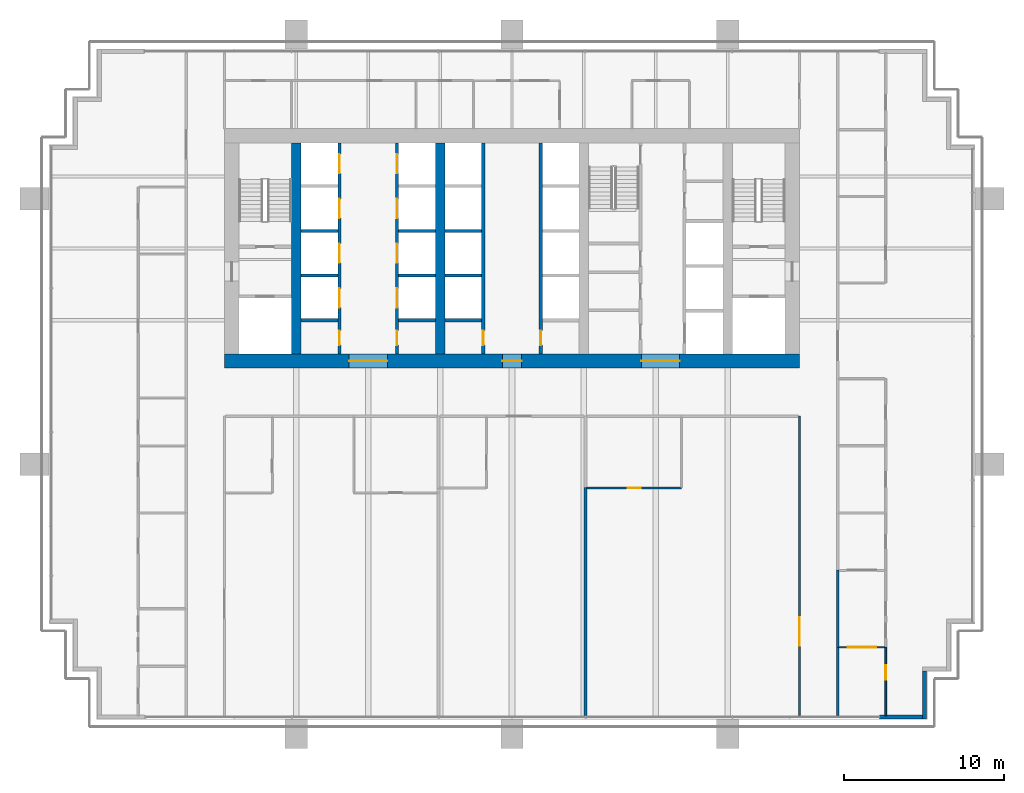
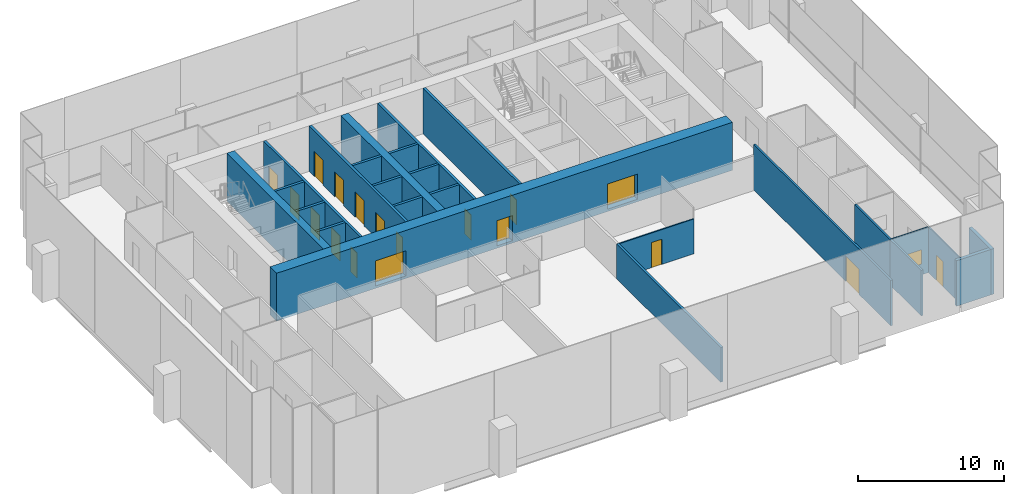
# One storey, part 11 of 17: 25 walls, 18 doors, 1 window, 19 openings.
"""IFC4 building model written with IfcOpenShell, lengths in metres."""

import ifcopenshell
import ifcopenshell.guid

model = None  # the IFC model being written
_history = None  # IfcOwnerHistory: only IFC2X3 demands one
_inside = {}  # id of a spatial element -> (the spatial element, [elements in it])
_under = {}  # id of a project, library or spatial element -> (it, [spatial elements below it])
_declared = {}  # id of a project -> (the project, [libraries it declares])
_typed = {}  # id of a type object -> (the type object, [elements of that type])
_made_of = {}  # id of a material, layer set ... -> (it, [elements and type objects made of it])


def new_model(schema):
    """Start an empty IFC model of exactly this schema.

    Asked for "IFC4X3", IfcOpenShell would pick the latest addendum, in which some entities
    have other attributes; the version numbers below select the first issue.
    IFC2X3 requires an IfcOwnerHistory on every rooted entity: one is made here for all.
    """
    global model, _history
    if schema == "IFC4X3":
        model = ifcopenshell.file(schema_version=(4, 3, 0, 0))
    else:
        model = ifcopenshell.file(schema=schema)
    _inside.clear()
    _under.clear()
    _declared.clear()
    _typed.clear()
    _made_of.clear()
    _history = None
    if model.schema == "IFC2X3":
        org = make("IfcOrganization", Name="unknown")
        user = make(
            "IfcPersonAndOrganization",
            ThePerson=make("IfcPerson", FamilyName="unknown"),
            TheOrganization=org,
        )
        app = make(
            "IfcApplication",
            ApplicationDeveloper=org,
            Version="unknown",
            ApplicationFullName="unknown",
            ApplicationIdentifier="unknown",
        )
        _history = make(
            "IfcOwnerHistory",
            OwningUser=user,
            OwningApplication=app,
            ChangeAction="ADDED",
            CreationDate=0,
        )
    return model


def make(cls, **values):
    """One entity of the class cls with the attributes given. An attribute that is None is left unset."""
    return model.create_entity(
        cls, **{name: value for name, value in values.items() if value is not None}
    )


def rooted(cls, **values):
    """An entity with a GlobalId (a new one), such as an element, a storey or a relation."""
    return make(cls, GlobalId=ifcopenshell.guid.new(), OwnerHistory=_history, **values)


def si_unit(unit_type, name, prefix=None):
    """IfcSIUnit, for example si_unit("LENGTHUNIT", "METRE", prefix="MILLI")."""
    return make("IfcSIUnit", UnitType=unit_type, Prefix=prefix, Name=name)


def assignment(units):
    """IfcUnitAssignment: the units of a project."""
    return None if units is None else make("IfcUnitAssignment", Units=units)


def point(xyz):
    """IfcCartesianPoint."""
    return None if xyz is None else make("IfcCartesianPoint", Coordinates=xyz)


def direction(xyz):
    """IfcDirection."""
    return None if xyz is None else make("IfcDirection", DirectionRatios=xyz)


def frame(location, z_axis=None, x_axis=None):
    """IfcAxis2Placement3D, a coordinate frame: its origin and axes. An axis left out is left unset."""
    return make(
        "IfcAxis2Placement3D",
        Location=point(location),
        Axis=direction(z_axis),
        RefDirection=direction(x_axis),
    )


def frame_2d(location, x_axis=None):
    """IfcAxis2Placement2D, a coordinate frame in the plane: its origin and x axis."""
    return make(
        "IfcAxis2Placement2D", Location=point(location), RefDirection=direction(x_axis)
    )


def origin():
    """The frame at (0, 0, 0) with its axes left unset."""
    return frame((0.0, 0.0, 0.0))


def place(relative_to, where):
    """IfcLocalPlacement: puts the frame where relative to a parent placement (None: the world)."""
    return make(
        "IfcLocalPlacement", PlacementRelTo=relative_to, RelativePlacement=where
    )


def context(
    kind, dimensions, precision=None, world=None, true_north=None, identifier=None
):
    """IfcGeometricRepresentationContext, for example the 3D "Model" context."""
    return make(
        "IfcGeometricRepresentationContext",
        ContextIdentifier=identifier,
        ContextType=kind,
        CoordinateSpaceDimension=dimensions,
        Precision=precision,
        WorldCoordinateSystem=world,
        TrueNorth=true_north,
    )


def subcontext(parent, identifier, kind, view, scale=None):
    """IfcGeometricRepresentationSubContext, for example "Body" below "Model"."""
    return make(
        "IfcGeometricRepresentationSubContext",
        ContextIdentifier=identifier,
        ContextType=kind,
        ParentContext=parent,
        TargetScale=scale,
        TargetView=view,
    )


def project(units=None, contexts=None):
    """IfcProject with its units and contexts."""
    return rooted(
        "IfcProject",
        Name="project",
        RepresentationContexts=contexts,
        UnitsInContext=assignment(units),
    )


def spatial(cls, under=None, at=None, **own):
    """A site, building, storey or space (cls), placed at a placement, below another one or the project."""
    s = rooted(cls, ObjectPlacement=at, **own)
    if under is not None:
        _under.setdefault(under.id(), (under, []))[1].append(s)
    return s


def profile(cls, at=None, kind="AREA", **sizes):
    """A parametric profile (cls). Its sizes go by their IFC names, for example OverallWidth=200.0."""
    return make(cls, ProfileType=kind, Position=at, **sizes)


def rectangle(**sizes):
    """IfcRectangleProfileDef."""
    return profile("IfcRectangleProfileDef", **sizes)


def extrude(swept, where, along, depth):
    """IfcExtrudedAreaSolid: the profile swept, set in the frame where, extruded along a direction by depth."""
    return make(
        "IfcExtrudedAreaSolid",
        SweptArea=swept,
        Position=where,
        ExtrudedDirection=direction(along),
        Depth=depth,
    )


def shape(context_of_items, identifier, shape_type, items):
    """IfcShapeRepresentation: the items that make up one representation, for example the "Body"."""
    return make(
        "IfcShapeRepresentation",
        ContextOfItems=context_of_items,
        RepresentationIdentifier=identifier,
        RepresentationType=shape_type,
        Items=items,
    )


def material(Name=None, Category=None):
    """IfcMaterial."""
    return make("IfcMaterial", Name=Name, Category=Category)


def layer(
    of_material, thickness, ventilated=None, Name=None, Category=None, Priority=None
):
    """IfcMaterialLayer: one layer of a wall or slab, of a material (None: an air gap)."""
    return make(
        "IfcMaterialLayer",
        Material=of_material,
        LayerThickness=thickness,
        IsVentilated=ventilated,
        Name=Name,
        Category=Category,
        Priority=Priority,
    )


def layer_set(layers, Name=None):
    """IfcMaterialLayerSet."""
    return make("IfcMaterialLayerSet", MaterialLayers=layers, LayerSetName=Name)


def made_of(thing, what):
    """Note that an element or type object is made of a material, layer set ...; save() writes the relation."""
    if what is not None:
        _made_of.setdefault(what.id(), (what, []))[1].append(thing)
    return thing


def type_object(cls, material=None, **own):
    """A type object (cls), such as IfcWallType, which elements share."""
    return made_of(rooted(cls, **own), material)


def element(
    cls,
    number,
    at=None,
    inside=None,
    cuts=None,
    type_object=None,
    material=None,
    context=None,
    identifier="Body",
    shape_type=None,
    held_by="IfcProductDefinitionShape",
    body=None,
    shapes=None,
    **own,
):
    """One element of the class cls, such as IfcWall. Its Tag is "e" and its number.

    at: its placement. inside: the storey or other place that contains it. cuts: it is an
    opening in that element (IfcRelVoidsElement). A single representation is given by context,
    identifier, shape_type and body (its items); several are given by shapes. held_by: the class
    of the entity that holds the representations. save() writes the other relations.
    """
    e = rooted(cls, Tag="e%d" % number, ObjectPlacement=at, **own)
    if body is not None:
        shapes = [shape(context, identifier, shape_type, body)]
    if shapes is not None:
        e.Representation = make(held_by, Representations=shapes)
    if inside is not None:
        _inside.setdefault(inside.id(), (inside, []))[1].append(e)
    if cuts is not None:
        rooted(
            "IfcRelVoidsElement", RelatingBuildingElement=cuts, RelatedOpeningElement=e
        )
    if type_object is not None:
        _typed.setdefault(type_object.id(), (type_object, []))[1].append(e)
    return made_of(e, material)


def fill(opening, filler):
    """IfcRelFillsElement: the door or window that sits in an opening."""
    return rooted(
        "IfcRelFillsElement",
        RelatingOpeningElement=opening,
        RelatedBuildingElement=filler,
    )


def aggregate(whole, parts):
    """IfcRelAggregates: a whole, such as a stair, and the parts it consists of."""
    return rooted("IfcRelAggregates", RelatingObject=whole, RelatedObjects=parts)


def save(model, path):
    """Write the relations noted so far, then the file.

    IfcRelAggregates (storeys below a building ...), IfcRelContainedInSpatialStructure (elements
    in a storey), IfcRelDefinesByType, IfcRelAssociatesMaterial and IfcRelDeclares: one each for
    every whole, place, type object, material and project.
    """
    for whole, parts in _under.values():
        aggregate(whole, parts)
    for where, things in _inside.values():
        rooted(
            "IfcRelContainedInSpatialStructure",
            RelatedElements=things,
            RelatingStructure=where,
        )
    for kind, things in _typed.values():
        rooted("IfcRelDefinesByType", RelatedObjects=things, RelatingType=kind)
    for what, things in _made_of.values():
        rooted("IfcRelAssociatesMaterial", RelatedObjects=things, RelatingMaterial=what)
    for by, libraries in _declared.values():
        rooted("IfcRelDeclares", RelatingContext=by, RelatedDefinitions=libraries)
    model.write(path)


model = new_model("IFC4")

# Units and contexts
model_context = context("Model", 3, precision=1e-05, world=origin(), true_north=direction((0.0, 1.0)))
body_context = subcontext(model_context, "Body", "Model", "MODEL_VIEW")
ifc_project = project(units=[si_unit("LENGTHUNIT", "METRE"), si_unit("AREAUNIT", "SQUARE_METRE"), si_unit("VOLUMEUNIT", "CUBIC_METRE"), si_unit("PLANEANGLEUNIT", "RADIAN"), si_unit("MASSUNIT", "GRAM", prefix="KILO")], contexts=[model_context])

# Site, building, storey
site_placement = place(None, origin())
site = spatial("IfcSite", under=ifc_project, at=site_placement, CompositionType="ELEMENT")
building_placement = place(site_placement, origin())
building = spatial("IfcBuilding", under=site, at=building_placement, Name="Rattan Terrace Tower", CompositionType="ELEMENT")
storey_placement = place(building_placement, frame((0.0, 0.0, 138.10009765625)))
storey = spatial("IfcBuildingStorey", under=building, at=storey_placement, Name="L31", CompositionType="ELEMENT", Elevation=138.10009765625)

# Wall, openings, doors
ifc_material_1 = material(Name="Concrete C60/75", Category="concrete")
ifc_layer_1 = layer(ifc_material_1, 0.89990234375)
ifc_layer_set_1 = layer_set([ifc_layer_1], Name="Core ring wall 900 C60/75")
wall_type_1 = type_object("IfcWallType", Name="Core ring wall 900 C60/75", PredefinedType="SHEAR", material=ifc_layer_set_1)
wall_1_placement = place(storey_placement, frame((-18.0, -7.050048828125, -0.2001953125), z_axis=(0.0, 0.0, 1.0), x_axis=(1.0, 0.0, 0.0)))
wall_1 = element("IfcWall", 1, at=wall_1_placement, inside=storey, type_object=wall_type_1, Name="Rear core wall south", PredefinedType="SHEAR", context=body_context, shape_type="SweptSolid", body=[
    extrude(rectangle(XDim=36.0, YDim=0.89990234375, at=frame_2d((18.0, 0.0))), origin(), (0.0, 0.0, 1.0), 4.0),
])
opening_1_placement = place(wall_1_placement, frame((7.800048828125, 0.0, 0.199951171875)))
opening_1 = element("IfcOpeningElement", 2, at=opening_1_placement, cuts=wall_1, Name="Opening L31-D007", PredefinedType="OPENING", context=body_context, shape_type="SweptSolid", body=[
    extrude(rectangle(XDim=2.39990234375, YDim=2.10009765625, at=frame_2d((1.199951171875, 1.050048828125))), frame((0.0, 0.46044921875, 0.0), z_axis=(0.0, -1.0, 0.0), x_axis=(1.0, 0.0, 0.0)), (0.0, 0.0, 1.0), 0.9208984375),
])
opening_2_placement = place(wall_1_placement, frame((17.39990234375, 0.0, 0.199951171875)))
opening_2 = element("IfcOpeningElement", 3, at=opening_2_placement, cuts=wall_1, Name="Opening L31-D010", PredefinedType="OPENING", context=body_context, shape_type="SweptSolid", body=[
    extrude(rectangle(XDim=1.199951171875, YDim=2.10009765625, at=frame_2d((0.60009765625, 1.050048828125))), frame((0.0, 0.46044921875, 0.0), z_axis=(0.0, -1.0, 0.0), x_axis=(1.0, 0.0, 0.0)), (0.0, 0.0, 1.0), 0.9208984375),
])
opening_3_placement = place(wall_1_placement, frame((26.10009765625, 0.0, 0.199951171875)))
opening_3 = element("IfcOpeningElement", 4, at=opening_3_placement, cuts=wall_1, Name="Opening L31-D015", PredefinedType="OPENING", context=body_context, shape_type="SweptSolid", body=[
    extrude(rectangle(XDim=2.39990234375, YDim=2.10009765625, at=frame_2d((1.199951171875, 1.050048828125))), frame((0.0, 0.46044921875, 0.0), z_axis=(0.0, -1.0, 0.0), x_axis=(1.0, 0.0, 0.0)), (0.0, 0.0, 1.0), 0.9208984375),
])
ifc_material_2 = material(Name="Hollow-metal fire door leaf")
door_type_1 = type_object("IfcDoorType", Name="Core lift lobby door 2400", OperationType="NOTDEFINED", PredefinedType="DOOR", material=ifc_material_2)
door_1_placement = place(opening_1_placement, origin())
door_1 = element("IfcDoor", 5, at=door_1_placement, inside=storey, type_object=door_type_1, Name="Door L31-D007", OperationType="DOUBLE_DOOR_DOUBLE_SWING", OverallHeight=2.10009765625, OverallWidth=2.39990234375, PredefinedType="DOOR", context=body_context, shape_type="SweptSolid", body=[
    extrude(rectangle(XDim=2.39990234375, YDim=2.10009765625, at=frame_2d((1.199951171875, 1.050048828125))), frame((0.0, 0.02490234375, 0.0), z_axis=(0.0, -1.0, 0.0), x_axis=(1.0, 0.0, 0.0)), (0.0, 0.0, 1.0), 0.050048828125),
])
fill(opening_1, door_1)
door_2_placement = place(opening_3_placement, origin())
door_2 = element("IfcDoor", 6, at=door_2_placement, inside=storey, type_object=door_type_1, Name="Door L31-D015", OperationType="DOUBLE_DOOR_DOUBLE_SWING", OverallHeight=2.10009765625, OverallWidth=2.39990234375, PredefinedType="DOOR", context=body_context, shape_type="SweptSolid", body=[
    extrude(rectangle(XDim=2.39990234375, YDim=2.10009765625, at=frame_2d((1.199951171875, 1.050048828125))), frame((0.0, 0.02490234375, 0.0), z_axis=(0.0, -1.0, 0.0), x_axis=(1.0, 0.0, 0.0)), (0.0, 0.0, 1.0), 0.050048828125),
])
fill(opening_3, door_2)
ifc_material_3 = material(Name="Hollow-metal fire door leaf")
door_type_2 = type_object("IfcDoorType", Name="Core riser door 1200", OperationType="NOTDEFINED", PredefinedType="DOOR", material=ifc_material_3)
door_3_placement = place(opening_2_placement, origin())
door_3 = element("IfcDoor", 7, at=door_3_placement, inside=storey, type_object=door_type_2, Name="Door L31-D010", OperationType="SINGLE_SWING_RIGHT", OverallHeight=2.10009765625, OverallWidth=1.199951171875, PredefinedType="DOOR", context=body_context, shape_type="SweptSolid", body=[
    extrude(rectangle(XDim=1.199951171875, YDim=2.10009765625, at=frame_2d((0.60009765625, 1.050048828125))), frame((0.0, 0.02490234375, 0.0), z_axis=(0.0, -1.0, 0.0), x_axis=(1.0, 0.0, 0.0)), (0.0, 0.0, 1.0), 0.050048828125),
])
fill(opening_2, door_3)

# Walls
ifc_material_4 = material(Name="Concrete C60/75", Category="concrete")
ifc_layer_2 = layer(ifc_material_4, 0.60009765625)
ifc_layer_set_2 = layer_set([ifc_layer_2], Name="Core spine wall 600 C60/75")
wall_type_2 = type_object("IfcWallType", Name="Core spine wall 600 C60/75", PredefinedType="SHEAR", material=ifc_layer_set_2)
for number, where, z_axis, x_axis, name in (
    (8, (-13.5, -6.60009765625, -0.2001953125), (0.0, 0.0, 1.0), (0.0, 1.0, 0.0), "Core spine wall 1"),
    (9, (-4.5, -6.60009765625, -0.2001953125), (0.0, 0.0, 1.0), (0.0, 1.0, 0.0), "Core spine wall 2"),
):
    element("IfcWall", number, at=place(storey_placement, frame(where, z_axis=z_axis, x_axis=x_axis)), inside=storey, type_object=wall_type_2, Name=name, PredefinedType="SHEAR", context=body_context, shape_type="SweptSolid", body=[
        extrude(rectangle(XDim=13.2001953125, YDim=0.60009765625, at=frame_2d((6.60009765625, 0.0))), origin(), (0.0, 0.0, 1.0), 4.0),
    ])
ifc_material_5 = material(Name="Insulated aluminium-clad stud wall", Category="aluminium")
ifc_layer_3 = layer(ifc_material_5, 0.25)
ifc_layer_set_3 = layer_set([ifc_layer_3], Name="Facade Riser Wall 250")
wall_type_3 = type_object("IfcWallType", Name="Facade Riser Wall 250", PredefinedType="SOLIDWALL", material=ifc_layer_set_3)
wall_2_placement = place(storey_placement, frame((23.0, -29.330078125, 0.0), z_axis=(0.0, 0.0, 1.0), x_axis=(1.0, 0.0, 0.0)))
element("IfcWall", 10, at=wall_2_placement, inside=storey, type_object=wall_type_3, Name="Riser wall L31-1", PredefinedType="SOLIDWALL", context=body_context, shape_type="SweptSolid", body=[
    extrude(rectangle(XDim=2.705078125, YDim=0.25, at=frame_2d((1.3525390625, 0.0))), origin(), (0.0, 0.0, 1.0), 3.7998046875),
])
wall_3_placement = place(storey_placement, frame((25.830078125, -29.455078125, 0.0), z_axis=(0.0, 0.0, 1.0), x_axis=(0.0, 1.0, 0.0)))
element("IfcWall", 11, at=wall_3_placement, inside=storey, type_object=wall_type_3, Name="Riser wall L31-2", PredefinedType="SOLIDWALL", context=body_context, shape_type="SweptSolid", body=[
    extrude(rectangle(XDim=3.0, YDim=0.25, at=frame_2d((1.5, 0.0))), origin(), (0.0, 0.0, 1.0), 3.7998046875),
])
ifc_material_6 = material(Name="Double steel stud acoustic partition, gypsum board, mineral wool, fire rated", Category="steel")
ifc_layer_4 = layer(ifc_material_6, 0.179931640625)
ifc_layer_set_4 = layer_set([ifc_layer_4], Name="Floors Acoustic Party Wall 180")
wall_type_4 = type_object("IfcWallType", Name="Floors Acoustic Party Wall 180", PredefinedType="PARTITIONING", material=ifc_layer_set_4)
wall_4_placement = place(storey_placement, frame((4.60009765625, -14.97998046875, 0.0), z_axis=(0.0, 0.0, 1.0), x_axis=(0.0, -1.0, 0.0)))
element("IfcWall", 12, at=wall_4_placement, inside=storey, type_object=wall_type_4, Name="pt-L31-081", PredefinedType="PARTITIONING", context=body_context, shape_type="SweptSolid", body=[
    extrude(rectangle(XDim=14.260009765625, YDim=0.179931640625, at=frame_2d((7.1298828125, 0.0))), origin(), (0.0, 0.0, 1.0), 2.89990234375),
])

# Wall, opening, door
ifc_material_7 = material(Name="Gypsum board partition on steel studs", Category="steel")
ifc_layer_5 = layer(ifc_material_7, 0.10009765625)
ifc_layer_set_5 = layer_set([ifc_layer_5], Name="Floors Partition 100")
wall_type_5 = type_object("IfcWallType", Name="Floors Partition 100", PredefinedType="PARTITIONING", material=ifc_layer_set_5)
wall_5_placement = place(storey_placement, frame((23.39990234375, -29.239990234375, 0.0), z_axis=(0.0, 0.0, 1.0), x_axis=(0.0, 1.0, 0.0)))
wall_5 = element("IfcWall", 13, at=wall_5_placement, inside=storey, type_object=wall_type_5, Name="pt-L31-045", PredefinedType="PARTITIONING", context=body_context, shape_type="SweptSolid", body=[
    extrude(rectangle(XDim=4.260009765625, YDim=0.10009765625, at=frame_2d((2.1298828125, 0.0))), origin(), (0.0, 0.0, 1.0), 3.7998046875),
])
opening_4_placement = place(wall_5_placement, frame((2.251953125, 0.0, 0.0)))
opening_4 = element("IfcOpeningElement", 14, at=opening_4_placement, cuts=wall_5, Name="Opening L31-D109", PredefinedType="OPENING", context=body_context, shape_type="SweptSolid", body=[
    extrude(rectangle(XDim=0.89990234375, YDim=2.10009765625, at=frame_2d((0.449951171875, 1.050048828125))), frame((0.0, 0.060546875, 0.0), z_axis=(0.0, -1.0, 0.0), x_axis=(1.0, 0.0, 0.0)), (0.0, 0.0, 1.0), 0.12109375),
])
ifc_material_8 = material(Name="Solid core timber door, painted", Category="wood")
door_type_3 = type_object("IfcDoorType", Name="Floors Door 900x2100", OperationType="NOTDEFINED", PredefinedType="DOOR", material=ifc_material_8)
door_4_placement = place(opening_4_placement, origin())
door_4 = element("IfcDoor", 15, at=door_4_placement, inside=storey, type_object=door_type_3, Name="d-L31-109", OperationType="SINGLE_SWING_RIGHT", OverallHeight=2.10009765625, OverallWidth=0.89990234375, PredefinedType="DOOR", context=body_context, shape_type="SweptSolid", body=[
    extrude(rectangle(XDim=0.89990234375, YDim=2.10009765625, at=frame_2d((0.449951171875, 1.050048828125))), frame((0.0, 0.02490234375, 0.0), z_axis=(0.0, -1.0, 0.0), x_axis=(1.0, 0.0, 0.0)), (0.0, 0.0, 1.0), 0.050048828125),
])
fill(opening_4, door_4)

# Wall, opening, window
wall_6_placement = place(storey_placement, frame((20.47509765625, -24.9599609375, 0.0), z_axis=(0.0, 0.0, 1.0), x_axis=(1.0, 0.0, 0.0)))
wall_6 = element("IfcWall", 16, at=wall_6_placement, inside=storey, type_object=wall_type_5, Name="pt-L31-055", PredefinedType="PARTITIONING", context=body_context, shape_type="SweptSolid", body=[
    extrude(rectangle(XDim=2.875, YDim=0.10009765625, at=frame_2d((1.4375, 0.0))), origin(), (0.0, 0.0, 1.0), 3.7998046875),
])
opening_5_placement = place(wall_6_placement, frame((0.537109375, 0.0, 0.89990234375)))
opening_5 = element("IfcOpeningElement", 17, at=opening_5_placement, cuts=wall_6, Name="Opening L31-W102", PredefinedType="OPENING", context=body_context, shape_type="SweptSolid", body=[
    extrude(rectangle(XDim=1.800048828125, YDim=1.199951171875, at=frame_2d((0.89990234375, 0.60009765625))), frame((0.0, 0.060546875, 0.0), z_axis=(0.0, -1.0, 0.0), x_axis=(1.0, 0.0, 0.0)), (0.0, 0.0, 1.0), 0.12109375),
])
ifc_material_9 = material(Name="Glass, clear, fixed in aluminium frame", Category="aluminium")
window_type = type_object("IfcWindowType", Name="Interior Vision Window 1800x1200", PartitioningType="SINGLE_PANEL", PredefinedType="WINDOW", material=ifc_material_9)
window_placement = place(opening_5_placement, origin())
window = element("IfcWindow", 18, at=window_placement, inside=storey, type_object=window_type, Name="w-L31-102", OverallHeight=1.199951171875, OverallWidth=1.800048828125, PartitioningType="SINGLE_PANEL", PredefinedType="WINDOW", context=body_context, shape_type="SweptSolid", body=[
    extrude(rectangle(XDim=1.800048828125, YDim=1.199951171875, at=frame_2d((0.89990234375, 0.60009765625))), frame((0.0, 0.030029296875, 0.0), z_axis=(0.0, -1.0, 0.0), x_axis=(1.0, 0.0, 0.0)), (0.0, 0.0, 1.0), 0.06005859375),
])
fill(opening_5, window)

# Wall, opening, door
wall_7_placement = place(storey_placement, frame((4.68994140625, -15.0, 0.0), z_axis=(0.0, 0.0, 1.0), x_axis=(1.0, 0.0, 0.0)))
wall_7 = element("IfcWall", 19, at=wall_7_placement, inside=storey, type_object=wall_type_5, Name="pt-L31-083", PredefinedType="PARTITIONING", context=body_context, shape_type="SweptSolid", body=[
    extrude(rectangle(XDim=5.91015625, YDim=0.10009765625, at=frame_2d((2.955078125, 0.0))), origin(), (0.0, 0.0, 1.0), 2.89990234375),
])
opening_6_placement = place(wall_7_placement, frame((2.554931640625, 0.0, 0.0)))
opening_6 = element("IfcOpeningElement", 20, at=opening_6_placement, cuts=wall_7, Name="Opening L31-D129", PredefinedType="OPENING", context=body_context, shape_type="SweptSolid", body=[
    extrude(rectangle(XDim=0.800048828125, YDim=2.10009765625, at=frame_2d((0.39990234375, 1.050048828125))), frame((0.0, 0.060546875, 0.0), z_axis=(0.0, -1.0, 0.0), x_axis=(1.0, 0.0, 0.0)), (0.0, 0.0, 1.0), 0.12109375),
])
ifc_material_10 = material(Name="Solid core timber door, painted", Category="wood")
door_type_4 = type_object("IfcDoorType", Name="Floors Store Door 800x2100", OperationType="NOTDEFINED", PredefinedType="DOOR", material=ifc_material_10)
door_5_placement = place(opening_6_placement, origin())
door_5 = element("IfcDoor", 21, at=door_5_placement, inside=storey, type_object=door_type_4, Name="d-L31-129", OperationType="SINGLE_SWING_RIGHT", OverallHeight=2.10009765625, OverallWidth=0.800048828125, PredefinedType="DOOR", context=body_context, shape_type="SweptSolid", body=[
    extrude(rectangle(XDim=0.800048828125, YDim=2.10009765625, at=frame_2d((0.39990234375, 1.050048828125))), frame((0.0, 0.02490234375, 0.0), z_axis=(0.0, -1.0, 0.0), x_axis=(1.0, 0.0, 0.0)), (0.0, 0.0, 1.0), 0.050048828125),
])
fill(opening_6, door_5)

# Walls
ifc_material_11 = material(Name="Gypsum board partition on steel studs, fire rated", Category="steel")
ifc_layer_6 = layer(ifc_material_11, 0.14990234375)
ifc_layer_set_6 = layer_set([ifc_layer_6], Name="Floors Tenancy Wall 150")
wall_type_6 = type_object("IfcWallType", Name="Floors Tenancy Wall 150", PredefinedType="PARTITIONING", material=ifc_layer_set_6)
wall_8_placement = place(storey_placement, frame((20.39990234375, -24.97998046875, 0.0), z_axis=(0.0, 0.0, 1.0), x_axis=(0.0, -1.0, 0.0)))
element("IfcWall", 22, at=wall_8_placement, inside=storey, type_object=wall_type_6, Name="pt-L31-010", PredefinedType="PARTITIONING", context=body_context, shape_type="SweptSolid", body=[
    extrude(rectangle(XDim=4.260009765625, YDim=0.14990234375, at=frame_2d((2.1298828125, 0.0))), origin(), (0.0, 0.0, 1.0), 3.7998046875),
])
wall_9_placement = place(storey_placement, frame((20.39990234375, -20.139892578125, 0.0), z_axis=(0.0, 0.0, 1.0), x_axis=(0.0, -1.0, 0.0)))
element("IfcWall", 23, at=wall_9_placement, inside=storey, type_object=wall_type_6, Name="pt-L31-011", PredefinedType="PARTITIONING", context=body_context, shape_type="SweptSolid", body=[
    extrude(rectangle(XDim=4.840087890625, YDim=0.14990234375, at=frame_2d((2.419921875, 0.0))), origin(), (0.0, 0.0, 1.0), 3.7998046875),
])

# Wall, opening, door
wall_10_placement = place(storey_placement, frame((18.0, -29.239990234375, 0.0), z_axis=(0.0, 0.0, 1.0), x_axis=(0.0, 1.0, 0.0)))
wall_10 = element("IfcWall", 24, at=wall_10_placement, inside=storey, type_object=wall_type_6, Name="pt-L31-029", PredefinedType="PARTITIONING", context=body_context, shape_type="SweptSolid", body=[
    extrude(rectangle(XDim=18.739990234375, YDim=0.14990234375, at=frame_2d((9.3701171875, 0.0))), origin(), (0.0, 0.0, 1.0), 3.7998046875),
])
opening_7_placement = place(wall_10_placement, frame((4.360107421875, 0.0, 0.0)))
opening_7 = element("IfcOpeningElement", 25, at=opening_7_placement, cuts=wall_10, Name="Opening L31-D128", PredefinedType="OPENING", context=body_context, shape_type="SweptSolid", body=[
    extrude(rectangle(XDim=1.800048828125, YDim=2.10009765625, at=frame_2d((0.89990234375, 1.050048828125))), frame((0.0, 0.08544921875, 0.0), z_axis=(0.0, -1.0, 0.0), x_axis=(1.0, 0.0, 0.0)), (0.0, 0.0, 1.0), 0.1708984375),
])
ifc_material_12 = material(Name="Steel fire door set", Category="steel")
door_type_5 = type_object("IfcDoorType", Name="Floors Fire Door Pair FD30S 1800x2100", OperationType="NOTDEFINED", PredefinedType="DOOR", material=ifc_material_12)
door_6_placement = place(opening_7_placement, origin())
door_6 = element("IfcDoor", 26, at=door_6_placement, inside=storey, type_object=door_type_5, Name="d-L31-128", OperationType="DOUBLE_DOOR_SINGLE_SWING", OverallHeight=2.10009765625, OverallWidth=1.800048828125, PredefinedType="DOOR", context=body_context, shape_type="SweptSolid", body=[
    extrude(rectangle(XDim=1.800048828125, YDim=2.10009765625, at=frame_2d((0.89990234375, 1.050048828125))), frame((0.0, 0.02490234375, 0.0), z_axis=(0.0, -1.0, 0.0), x_axis=(1.0, 0.0, 0.0)), (0.0, 0.0, 1.0), 0.050048828125),
])
fill(opening_7, door_6)

# Wall, openings, doors
ifc_material_13 = material(Name="Gypsum shaft wall system")
ifc_layer_7 = layer(ifc_material_13, 0.199951171875)
ifc_layer_set_7 = layer_set([ifc_layer_7], Name="Lift shaft wall 200")
wall_type_7 = type_object("IfcWallType", Name="Lift shaft wall 200", PredefinedType="PARTITIONING", material=ifc_layer_set_7)
wall_11_placement = place(storey_placement, frame((-10.800048828125, -6.60009765625, 0.0), z_axis=(0.0, 0.0, 1.0), x_axis=(0.0, 1.0, 0.0)))
wall_11 = element("IfcWall", 27, at=wall_11_placement, inside=storey, type_object=wall_type_7, Name="Lift shaft front wall", PredefinedType="PARTITIONING", context=body_context, shape_type="SweptSolid", body=[
    extrude(rectangle(XDim=13.2001953125, YDim=0.199951171875, at=frame_2d((6.60009765625, 0.0))), origin(), (0.0, 0.0, 1.0), 3.7998046875),
])
opening_8_placement = place(wall_11_placement, frame((0.550048828125, 0.0, 0.0)))
opening_8 = element("IfcOpeningElement", 28, at=opening_8_placement, cuts=wall_11, Name="Opening L31-D005", PredefinedType="OPENING", context=body_context, shape_type="SweptSolid", body=[
    extrude(rectangle(XDim=0.89990234375, YDim=2.10009765625, at=frame_2d((0.449951171875, 1.050048828125))), frame((0.0, 0.110595703125, 0.0), z_axis=(0.0, -1.0, 0.0), x_axis=(1.0, 0.0, 0.0)), (0.0, 0.0, 1.0), 0.220947265625),
])
opening_9_placement = place(wall_11_placement, frame((2.89990234375, 0.0, 0.0)))
opening_9 = element("IfcOpeningElement", 29, at=opening_9_placement, cuts=wall_11, Name="Opening L31-LD-LR1", PredefinedType="OPENING", context=body_context, shape_type="SweptSolid", body=[
    extrude(rectangle(XDim=1.199951171875, YDim=2.10009765625, at=frame_2d((0.60009765625, 1.050048828125))), frame((0.0, 0.110595703125, 0.0), z_axis=(0.0, -1.0, 0.0), x_axis=(1.0, 0.0, 0.0)), (0.0, 0.0, 1.0), 0.220947265625),
])
opening_10_placement = place(wall_11_placement, frame((5.699951171875, 0.0, 0.0)))
opening_10 = element("IfcOpeningElement", 30, at=opening_10_placement, cuts=wall_11, Name="Opening L31-LD-LR2", PredefinedType="OPENING", context=body_context, shape_type="SweptSolid", body=[
    extrude(rectangle(XDim=1.199951171875, YDim=2.10009765625, at=frame_2d((0.60009765625, 1.050048828125))), frame((0.0, 0.110595703125, 0.0), z_axis=(0.0, -1.0, 0.0), x_axis=(1.0, 0.0, 0.0)), (0.0, 0.0, 1.0), 0.220947265625),
])
opening_11_placement = place(wall_11_placement, frame((8.5, 0.0, 0.0)))
opening_11 = element("IfcOpeningElement", 31, at=opening_11_placement, cuts=wall_11, Name="Opening L31-LD-LR3", PredefinedType="OPENING", context=body_context, shape_type="SweptSolid", body=[
    extrude(rectangle(XDim=1.199951171875, YDim=2.10009765625, at=frame_2d((0.60009765625, 1.050048828125))), frame((0.0, 0.110595703125, 0.0), z_axis=(0.0, -1.0, 0.0), x_axis=(1.0, 0.0, 0.0)), (0.0, 0.0, 1.0), 0.220947265625),
])
opening_12_placement = place(wall_11_placement, frame((11.300048828125, 0.0, 0.0)))
opening_12 = element("IfcOpeningElement", 32, at=opening_12_placement, cuts=wall_11, Name="Opening L31-LD-LR4", PredefinedType="OPENING", context=body_context, shape_type="SweptSolid", body=[
    extrude(rectangle(XDim=1.199951171875, YDim=2.10009765625, at=frame_2d((0.60009765625, 1.050048828125))), frame((0.0, 0.110595703125, 0.0), z_axis=(0.0, -1.0, 0.0), x_axis=(1.0, 0.0, 0.0)), (0.0, 0.0, 1.0), 0.220947265625),
])
ifc_material_14 = material(Name="Brushed stainless landing door panel")
door_type_6 = type_object("IfcDoorType", Name="Core lift landing door 1200", OperationType="DOUBLE_DOOR_SLIDING", PredefinedType="DOOR", material=ifc_material_14)
door_7_placement = place(opening_9_placement, origin())
door_7 = element("IfcDoor", 33, at=door_7_placement, inside=storey, type_object=door_type_6, Name="Door L31-LD-LR1", OperationType="DOUBLE_DOOR_SLIDING", OverallHeight=2.10009765625, OverallWidth=1.199951171875, PredefinedType="DOOR", context=body_context, shape_type="SweptSolid", body=[
    extrude(rectangle(XDim=1.199951171875, YDim=2.10009765625, at=frame_2d((0.60009765625, 1.050048828125))), frame((0.0, 0.02490234375, 0.0), z_axis=(0.0, -1.0, 0.0), x_axis=(1.0, 0.0, 0.0)), (0.0, 0.0, 1.0), 0.050048828125),
])
fill(opening_9, door_7)
door_8_placement = place(opening_10_placement, origin())
door_8 = element("IfcDoor", 34, at=door_8_placement, inside=storey, type_object=door_type_6, Name="Door L31-LD-LR2", OperationType="DOUBLE_DOOR_SLIDING", OverallHeight=2.10009765625, OverallWidth=1.199951171875, PredefinedType="DOOR", context=body_context, shape_type="SweptSolid", body=[
    extrude(rectangle(XDim=1.199951171875, YDim=2.10009765625, at=frame_2d((0.60009765625, 1.050048828125))), frame((0.0, 0.02490234375, 0.0), z_axis=(0.0, -1.0, 0.0), x_axis=(1.0, 0.0, 0.0)), (0.0, 0.0, 1.0), 0.050048828125),
])
fill(opening_10, door_8)
door_9_placement = place(opening_11_placement, origin())
door_9 = element("IfcDoor", 35, at=door_9_placement, inside=storey, type_object=door_type_6, Name="Door L31-LD-LR3", OperationType="DOUBLE_DOOR_SLIDING", OverallHeight=2.10009765625, OverallWidth=1.199951171875, PredefinedType="DOOR", context=body_context, shape_type="SweptSolid", body=[
    extrude(rectangle(XDim=1.199951171875, YDim=2.10009765625, at=frame_2d((0.60009765625, 1.050048828125))), frame((0.0, 0.02490234375, 0.0), z_axis=(0.0, -1.0, 0.0), x_axis=(1.0, 0.0, 0.0)), (0.0, 0.0, 1.0), 0.050048828125),
])
fill(opening_11, door_9)
door_10_placement = place(opening_12_placement, origin())
door_10 = element("IfcDoor", 36, at=door_10_placement, inside=storey, type_object=door_type_6, Name="Door L31-LD-LR4", OperationType="DOUBLE_DOOR_SLIDING", OverallHeight=2.10009765625, OverallWidth=1.199951171875, PredefinedType="DOOR", context=body_context, shape_type="SweptSolid", body=[
    extrude(rectangle(XDim=1.199951171875, YDim=2.10009765625, at=frame_2d((0.60009765625, 1.050048828125))), frame((0.0, 0.02490234375, 0.0), z_axis=(0.0, -1.0, 0.0), x_axis=(1.0, 0.0, 0.0)), (0.0, 0.0, 1.0), 0.050048828125),
])
fill(opening_12, door_10)
ifc_material_15 = material(Name="Hollow-metal fire door leaf")
door_type_7 = type_object("IfcDoorType", Name="Core riser door 900", OperationType="NOTDEFINED", PredefinedType="DOOR", material=ifc_material_15)
door_11_placement = place(opening_8_placement, origin())
door_11 = element("IfcDoor", 37, at=door_11_placement, inside=storey, type_object=door_type_7, Name="Door L31-D005", OperationType="SINGLE_SWING_RIGHT", OverallHeight=2.10009765625, OverallWidth=0.89990234375, PredefinedType="DOOR", context=body_context, shape_type="SweptSolid", body=[
    extrude(rectangle(XDim=0.89990234375, YDim=2.10009765625, at=frame_2d((0.449951171875, 1.050048828125))), frame((0.0, 0.02490234375, 0.0), z_axis=(0.0, -1.0, 0.0), x_axis=(1.0, 0.0, 0.0)), (0.0, 0.0, 1.0), 0.050048828125),
])
fill(opening_8, door_11)

wall_12_placement = place(storey_placement, frame((-7.199951171875, -6.60009765625, 0.0), z_axis=(0.0, 0.0, 1.0), x_axis=(0.0, 1.0, 0.0)))
wall_12 = element("IfcWall", 38, at=wall_12_placement, inside=storey, type_object=wall_type_7, Name="Lift shaft front wall", PredefinedType="PARTITIONING", context=body_context, shape_type="SweptSolid", body=[
    extrude(rectangle(XDim=13.2001953125, YDim=0.199951171875, at=frame_2d((6.60009765625, 0.0))), origin(), (0.0, 0.0, 1.0), 3.7998046875),
])
opening_13_placement = place(wall_12_placement, frame((0.550048828125, 0.0, 0.0)))
opening_13 = element("IfcOpeningElement", 39, at=opening_13_placement, cuts=wall_12, Name="Opening L31-D006", PredefinedType="OPENING", context=body_context, shape_type="SweptSolid", body=[
    extrude(rectangle(XDim=0.89990234375, YDim=2.10009765625, at=frame_2d((0.449951171875, 1.050048828125))), frame((0.0, 0.110595703125, 0.0), z_axis=(0.0, -1.0, 0.0), x_axis=(1.0, 0.0, 0.0)), (0.0, 0.0, 1.0), 0.220947265625),
])
opening_14_placement = place(wall_12_placement, frame((2.89990234375, 0.0, 0.0)))
opening_14 = element("IfcOpeningElement", 40, at=opening_14_placement, cuts=wall_12, Name="Opening L31-LD-LR5", PredefinedType="OPENING", context=body_context, shape_type="SweptSolid", body=[
    extrude(rectangle(XDim=1.199951171875, YDim=2.10009765625, at=frame_2d((0.60009765625, 1.050048828125))), frame((0.0, 0.110595703125, 0.0), z_axis=(0.0, -1.0, 0.0), x_axis=(1.0, 0.0, 0.0)), (0.0, 0.0, 1.0), 0.220947265625),
])
opening_15_placement = place(wall_12_placement, frame((5.699951171875, 0.0, 0.0)))
opening_15 = element("IfcOpeningElement", 41, at=opening_15_placement, cuts=wall_12, Name="Opening L31-LD-LR6", PredefinedType="OPENING", context=body_context, shape_type="SweptSolid", body=[
    extrude(rectangle(XDim=1.199951171875, YDim=2.10009765625, at=frame_2d((0.60009765625, 1.050048828125))), frame((0.0, 0.110595703125, 0.0), z_axis=(0.0, -1.0, 0.0), x_axis=(1.0, 0.0, 0.0)), (0.0, 0.0, 1.0), 0.220947265625),
])
opening_16_placement = place(wall_12_placement, frame((8.5, 0.0, 0.0)))
opening_16 = element("IfcOpeningElement", 42, at=opening_16_placement, cuts=wall_12, Name="Opening L31-LD-LR7", PredefinedType="OPENING", context=body_context, shape_type="SweptSolid", body=[
    extrude(rectangle(XDim=1.199951171875, YDim=2.10009765625, at=frame_2d((0.60009765625, 1.050048828125))), frame((0.0, 0.110595703125, 0.0), z_axis=(0.0, -1.0, 0.0), x_axis=(1.0, 0.0, 0.0)), (0.0, 0.0, 1.0), 0.220947265625),
])
opening_17_placement = place(wall_12_placement, frame((11.300048828125, 0.0, 0.0)))
opening_17 = element("IfcOpeningElement", 43, at=opening_17_placement, cuts=wall_12, Name="Opening L31-LD-LR8", PredefinedType="OPENING", context=body_context, shape_type="SweptSolid", body=[
    extrude(rectangle(XDim=1.199951171875, YDim=2.10009765625, at=frame_2d((0.60009765625, 1.050048828125))), frame((0.0, 0.110595703125, 0.0), z_axis=(0.0, -1.0, 0.0), x_axis=(1.0, 0.0, 0.0)), (0.0, 0.0, 1.0), 0.220947265625),
])
door_12_placement = place(opening_14_placement, origin())
door_12 = element("IfcDoor", 44, at=door_12_placement, inside=storey, type_object=door_type_6, Name="Door L31-LD-LR5", OperationType="DOUBLE_DOOR_SLIDING", OverallHeight=2.10009765625, OverallWidth=1.199951171875, PredefinedType="DOOR", context=body_context, shape_type="SweptSolid", body=[
    extrude(rectangle(XDim=1.199951171875, YDim=2.10009765625, at=frame_2d((0.60009765625, 1.050048828125))), frame((0.0, 0.02490234375, 0.0), z_axis=(0.0, -1.0, 0.0), x_axis=(1.0, 0.0, 0.0)), (0.0, 0.0, 1.0), 0.050048828125),
])
fill(opening_14, door_12)
door_13_placement = place(opening_15_placement, origin())
door_13 = element("IfcDoor", 45, at=door_13_placement, inside=storey, type_object=door_type_6, Name="Door L31-LD-LR6", OperationType="DOUBLE_DOOR_SLIDING", OverallHeight=2.10009765625, OverallWidth=1.199951171875, PredefinedType="DOOR", context=body_context, shape_type="SweptSolid", body=[
    extrude(rectangle(XDim=1.199951171875, YDim=2.10009765625, at=frame_2d((0.60009765625, 1.050048828125))), frame((0.0, 0.02490234375, 0.0), z_axis=(0.0, -1.0, 0.0), x_axis=(1.0, 0.0, 0.0)), (0.0, 0.0, 1.0), 0.050048828125),
])
fill(opening_15, door_13)
door_14_placement = place(opening_16_placement, origin())
door_14 = element("IfcDoor", 46, at=door_14_placement, inside=storey, type_object=door_type_6, Name="Door L31-LD-LR7", OperationType="DOUBLE_DOOR_SLIDING", OverallHeight=2.10009765625, OverallWidth=1.199951171875, PredefinedType="DOOR", context=body_context, shape_type="SweptSolid", body=[
    extrude(rectangle(XDim=1.199951171875, YDim=2.10009765625, at=frame_2d((0.60009765625, 1.050048828125))), frame((0.0, 0.02490234375, 0.0), z_axis=(0.0, -1.0, 0.0), x_axis=(1.0, 0.0, 0.0)), (0.0, 0.0, 1.0), 0.050048828125),
])
fill(opening_16, door_14)
door_15_placement = place(opening_17_placement, origin())
door_15 = element("IfcDoor", 47, at=door_15_placement, inside=storey, type_object=door_type_6, Name="Door L31-LD-LR8", OperationType="DOUBLE_DOOR_SLIDING", OverallHeight=2.10009765625, OverallWidth=1.199951171875, PredefinedType="DOOR", context=body_context, shape_type="SweptSolid", body=[
    extrude(rectangle(XDim=1.199951171875, YDim=2.10009765625, at=frame_2d((0.60009765625, 1.050048828125))), frame((0.0, 0.02490234375, 0.0), z_axis=(0.0, -1.0, 0.0), x_axis=(1.0, 0.0, 0.0)), (0.0, 0.0, 1.0), 0.050048828125),
])
fill(opening_17, door_15)
door_16_placement = place(opening_13_placement, origin())
door_16 = element("IfcDoor", 48, at=door_16_placement, inside=storey, type_object=door_type_7, Name="Door L31-D006", OperationType="SINGLE_SWING_LEFT", OverallHeight=2.10009765625, OverallWidth=0.89990234375, PredefinedType="DOOR", context=body_context, shape_type="SweptSolid", body=[
    extrude(rectangle(XDim=0.89990234375, YDim=2.10009765625, at=frame_2d((0.449951171875, 1.050048828125))), frame((0.0, 0.02490234375, 0.0), z_axis=(0.0, -1.0, 0.0), x_axis=(1.0, 0.0, 0.0)), (0.0, 0.0, 1.0), 0.050048828125),
])
fill(opening_13, door_16)

# Walls
for number, where, z_axis, x_axis, name in (
    (49, (-13.199951171875, -1.699951171875, 0.0), (0.0, 0.0, 1.0), (1.0, 0.0, 0.0), "Lift shaft wall"),
    (50, (-13.199951171875, 1.10009765625, 0.0), (0.0, 0.0, 1.0), (1.0, 0.0, 0.0), "Lift shaft wall"),
    (51, (-13.199951171875, -4.5, 0.0), (0.0, 0.0, 1.0), (1.0, 0.0, 0.0), "Lift shaft wall"),
    (52, (-7.10009765625, -1.699951171875, 0.0), (0.0, 0.0, 1.0), (1.0, 0.0, 0.0), "Lift shaft wall"),
    (53, (-7.10009765625, 1.10009765625, 0.0), (0.0, 0.0, 1.0), (1.0, 0.0, 0.0), "Lift shaft wall"),
    (54, (-7.10009765625, -4.5, 0.0), (0.0, 0.0, 1.0), (1.0, 0.0, 0.0), "Lift shaft wall"),
):
    element("IfcWall", number, at=place(storey_placement, frame(where, z_axis=z_axis, x_axis=x_axis)), inside=storey, type_object=wall_type_7, Name=name, PredefinedType="PARTITIONING", context=body_context, shape_type="SweptSolid", body=[
        extrude(rectangle(XDim=2.300048828125, YDim=0.199951171875, at=frame_2d((1.14990234375, 0.0))), origin(), (0.0, 0.0, 1.0), 3.7998046875),
    ])

# Wall, opening, door
wall_13_placement = place(storey_placement, frame((-1.800048828125, -6.60009765625, 0.0), z_axis=(0.0, 0.0, 1.0), x_axis=(0.0, 1.0, 0.0)))
wall_13 = element("IfcWall", 55, at=wall_13_placement, inside=storey, type_object=wall_type_7, Name="Lift shaft front wall", PredefinedType="PARTITIONING", context=body_context, shape_type="SweptSolid", body=[
    extrude(rectangle(XDim=13.2001953125, YDim=0.199951171875, at=frame_2d((6.60009765625, 0.0))), origin(), (0.0, 0.0, 1.0), 3.7998046875),
])
opening_18_placement = place(wall_13_placement, frame((0.550048828125, 0.0, 0.0)))
opening_18 = element("IfcOpeningElement", 56, at=opening_18_placement, cuts=wall_13, Name="Opening L31-D008", PredefinedType="OPENING", context=body_context, shape_type="SweptSolid", body=[
    extrude(rectangle(XDim=0.89990234375, YDim=2.10009765625, at=frame_2d((0.449951171875, 1.050048828125))), frame((0.0, 0.110595703125, 0.0), z_axis=(0.0, -1.0, 0.0), x_axis=(1.0, 0.0, 0.0)), (0.0, 0.0, 1.0), 0.220947265625),
])
door_17_placement = place(opening_18_placement, origin())
door_17 = element("IfcDoor", 57, at=door_17_placement, inside=storey, type_object=door_type_7, Name="Door L31-D008", OperationType="SINGLE_SWING_RIGHT", OverallHeight=2.10009765625, OverallWidth=0.89990234375, PredefinedType="DOOR", context=body_context, shape_type="SweptSolid", body=[
    extrude(rectangle(XDim=0.89990234375, YDim=2.10009765625, at=frame_2d((0.449951171875, 1.050048828125))), frame((0.0, 0.02490234375, 0.0), z_axis=(0.0, -1.0, 0.0), x_axis=(1.0, 0.0, 0.0)), (0.0, 0.0, 1.0), 0.050048828125),
])
fill(opening_18, door_17)

wall_14_placement = place(storey_placement, frame((1.800048828125, -6.60009765625, 0.0), z_axis=(0.0, 0.0, 1.0), x_axis=(0.0, 1.0, 0.0)))
wall_14 = element("IfcWall", 58, at=wall_14_placement, inside=storey, type_object=wall_type_7, Name="Lift shaft front wall", PredefinedType="PARTITIONING", context=body_context, shape_type="SweptSolid", body=[
    extrude(rectangle(XDim=13.2001953125, YDim=0.199951171875, at=frame_2d((6.60009765625, 0.0))), origin(), (0.0, 0.0, 1.0), 3.7998046875),
])
opening_19_placement = place(wall_14_placement, frame((0.550048828125, 0.0, 0.0)))
opening_19 = element("IfcOpeningElement", 59, at=opening_19_placement, cuts=wall_14, Name="Opening L31-D009", PredefinedType="OPENING", context=body_context, shape_type="SweptSolid", body=[
    extrude(rectangle(XDim=0.89990234375, YDim=2.10009765625, at=frame_2d((0.449951171875, 1.050048828125))), frame((0.0, 0.110595703125, 0.0), z_axis=(0.0, -1.0, 0.0), x_axis=(1.0, 0.0, 0.0)), (0.0, 0.0, 1.0), 0.220947265625),
])
door_18_placement = place(opening_19_placement, origin())
door_18 = element("IfcDoor", 60, at=door_18_placement, inside=storey, type_object=door_type_7, Name="Door L31-D009", OperationType="SINGLE_SWING_LEFT", OverallHeight=2.10009765625, OverallWidth=0.89990234375, PredefinedType="DOOR", context=body_context, shape_type="SweptSolid", body=[
    extrude(rectangle(XDim=0.89990234375, YDim=2.10009765625, at=frame_2d((0.449951171875, 1.050048828125))), frame((0.0, 0.02490234375, 0.0), z_axis=(0.0, -1.0, 0.0), x_axis=(1.0, 0.0, 0.0)), (0.0, 0.0, 1.0), 0.050048828125),
])
fill(opening_19, door_18)

# Walls
for number, where, z_axis, x_axis, name in (
    (61, (-4.199951171875, -1.699951171875, 0.0), (0.0, 0.0, 1.0), (1.0, 0.0, 0.0), "Lift shaft wall"),
    (62, (-4.199951171875, 1.10009765625, 0.0), (0.0, 0.0, 1.0), (1.0, 0.0, 0.0), "Lift shaft wall"),
    (63, (-4.199951171875, -4.5, 0.0), (0.0, 0.0, 1.0), (1.0, 0.0, 0.0), "Lift shaft wall"),
):
    element("IfcWall", number, at=place(storey_placement, frame(where, z_axis=z_axis, x_axis=x_axis)), inside=storey, type_object=wall_type_7, Name=name, PredefinedType="PARTITIONING", context=body_context, shape_type="SweptSolid", body=[
        extrude(rectangle(XDim=2.300048828125, YDim=0.199951171875, at=frame_2d((1.14990234375, 0.0))), origin(), (0.0, 0.0, 1.0), 3.7998046875),
    ])

save(model, "model.ifc")
